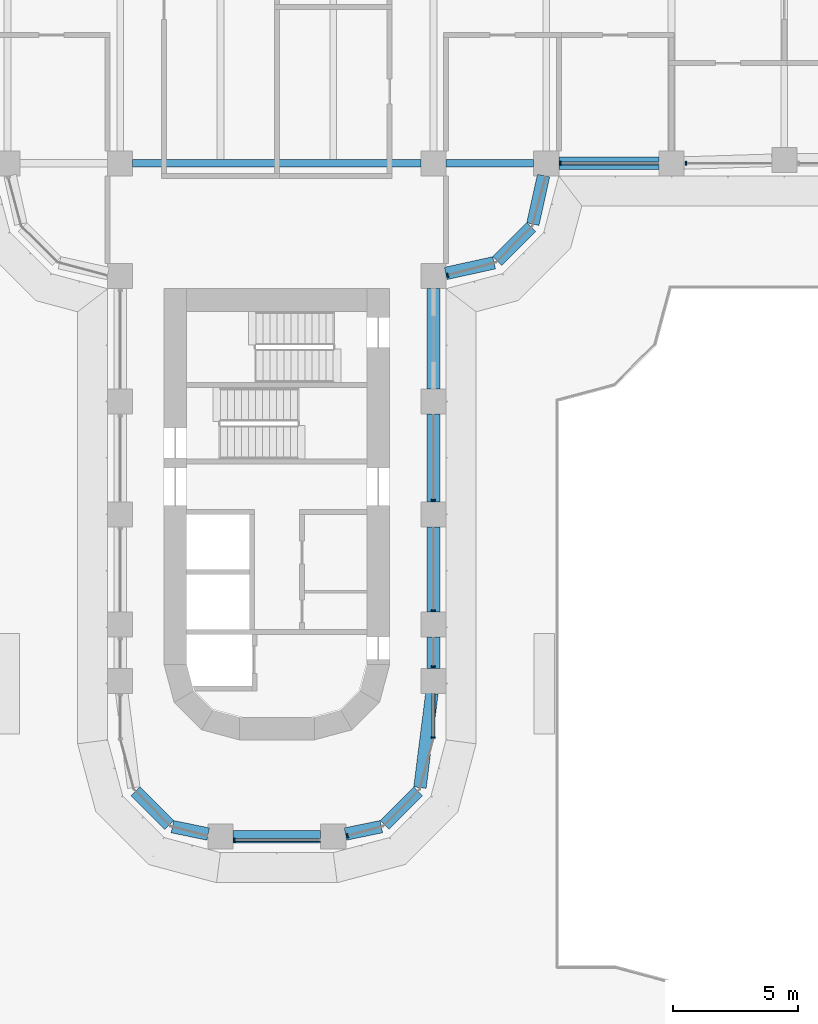
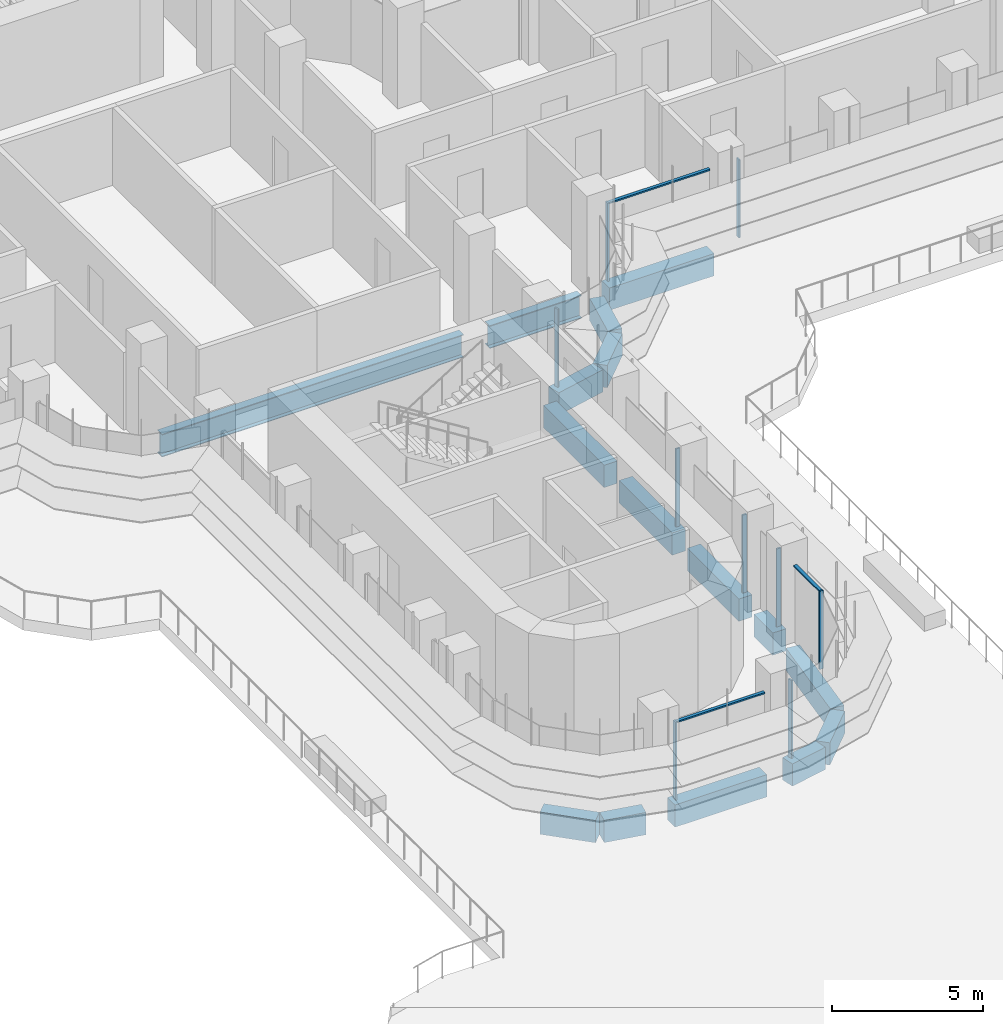
# One storey, part 4 of 26: 16 beams, 12 members, 5 elements without a shape of their own.
"""IFC4 building model written with IfcOpenShell, lengths in metres."""

from ifc_helpers import new_model, si_unit, direction, frame, origin, origin_2d, place, context, subcontext, project, spatial, polyline, rectangle, i_section, outline, extrude, source, transform, mapped, material, material_profile, profile_set, type_object, element, aggregate, save


model = new_model("IFC4")

# Units and contexts
model_context = context("Model", 3, precision=1e-05, world=origin(), true_north=direction((0.0, 1.0)))
body_context = subcontext(model_context, "Body", "Model", "MODEL_VIEW")
ifc_project = project(units=[si_unit("LENGTHUNIT", "METRE"), si_unit("AREAUNIT", "SQUARE_METRE"), si_unit("VOLUMEUNIT", "CUBIC_METRE"), si_unit("PLANEANGLEUNIT", "RADIAN"), si_unit("MASSUNIT", "GRAM", prefix="KILO")], contexts=[model_context])

# Site, building, storey
site_placement = place(None, origin())
site = spatial("IfcSite", under=ifc_project, at=site_placement, CompositionType="ELEMENT")
building_placement = place(site_placement, origin())
building = spatial("IfcBuilding", under=site, at=building_placement, Name="Zarbagh Exchange Tower", CompositionType="ELEMENT")
storey_placement = place(building_placement, frame((0.0, 0.0, 27.0)))
storey = spatial("IfcBuildingStorey", under=building, at=storey_placement, Name="L05", CompositionType="ELEMENT", Elevation=27.0)

# Beams
ifc_material_1 = material(Name="Steel ASTM A992 Gr 50", Category="steel")
ifc_material_profile_1 = material_profile(ifc_material_1, i_section(OverallWidth=0.3046875, OverallDepth=0.91943359375, WebThickness=0.017333984375, FlangeThickness=0.02783203125, at=origin_2d()), Name="W36X170")
ifc_profile_set_1 = profile_set([ifc_material_profile_1], Name="Steel ASTM A992 Gr 50")
beam_type_1 = type_object("IfcBeamType", Name="Floor girder W36X170", PredefinedType="BEAM", material=ifc_profile_set_1)
beam_1_placement = place(storey_placement, frame((-5.75, -6.25, -0.609619140625), z_axis=(1.0, 0.0, 0.0), x_axis=(0.0, 1.0, 0.0)))
element("IfcBeam", 1, at=beam_1_placement, inside=storey, type_object=beam_type_1, Name="Steel girder", PredefinedType="BEAM", context=body_context, shape_type="SweptSolid", body=[
    extrude(i_section(OverallWidth=0.3046875, OverallDepth=0.91943359375, WebThickness=0.017333984375, FlangeThickness=0.02783203125, at=origin_2d()), origin(), (0.0, 0.0, 1.0), 11.5),
])
beam_2_placement = place(storey_placement, frame((6.75, -6.25, -0.609619140625), z_axis=(1.0, 0.0, 0.0), x_axis=(0.0, 1.0, 0.0)))
element("IfcBeam", 2, at=beam_2_placement, inside=storey, type_object=beam_type_1, Name="Steel girder", PredefinedType="BEAM", context=body_context, shape_type="SweptSolid", body=[
    extrude(i_section(OverallWidth=0.3046875, OverallDepth=0.91943359375, WebThickness=0.017333984375, FlangeThickness=0.02783203125, at=origin_2d()), origin(), (0.0, 0.0, 1.0), 3.5),
])
ifc_material_2 = material(Name="Concrete C60/75", Category="concrete")
ifc_material_profile_2 = material_profile(ifc_material_2, rectangle(XDim=0.5, YDim=0.89990234375, at=origin_2d()), Name="RC spandrel beam 500 x 900 C60/75")
ifc_profile_set_2 = profile_set([ifc_material_profile_2], Name="Concrete C60/75")
beam_type_2 = type_object("IfcBeamType", Name="RC spandrel beam 500 x 900 C60/75", PredefinedType="SPANDREL", material=ifc_profile_set_2)
beam_3_placement = place(storey_placement, frame((-2.73974609375, -33.0087890625, -0.60009765625), z_axis=(-0.9793713725, 0.202068589164, 0.0), x_axis=(-0.202068589164, -0.9793713725, 0.0)))
element("IfcBeam", 3, at=beam_3_placement, inside=storey, type_object=beam_type_2, Name="RC spandrel beam", PredefinedType="SPANDREL", context=body_context, shape_type="SweptSolid", body=[
    extrude(rectangle(XDim=0.5, YDim=0.89990234375, at=origin_2d()), origin(), (0.0, 0.0, 1.0), 1.458251953125),
])
beam_4_placement = place(storey_placement, frame((-4.294189453125, -32.64599609375, -0.60009765625), z_axis=(-0.707042571718, 0.707170984825, 0.0), x_axis=(-0.707170984825, -0.707042571718, 0.0)))
element("IfcBeam", 4, at=beam_4_placement, inside=storey, type_object=beam_type_2, Name="RC spandrel beam", PredefinedType="SPANDREL", context=body_context, shape_type="SweptSolid", body=[
    extrude(rectangle(XDim=0.5, YDim=0.89990234375, at=origin_2d()), origin(), (0.0, 0.0, 1.0), 1.901123046875),
])
beam_5_placement = place(storey_placement, frame((15.25, -6.25, -0.60009765625), z_axis=(-1.0, 0.0, 0.0), x_axis=(0.0, -1.0, 0.0)))
element("IfcBeam", 5, at=beam_5_placement, inside=storey, type_object=beam_type_2, Name="RC spandrel beam", PredefinedType="SPANDREL", context=body_context, shape_type="SweptSolid", body=[
    extrude(rectangle(XDim=0.5, YDim=0.89990234375, at=origin_2d()), origin(), (0.0, 0.0, 1.0), 4.0),
])
beam_6_placement = place(storey_placement, frame((10.64208984375, -6.73828125, -0.60009765625), z_axis=(-0.216081063242, -0.976375426825, 0.0), x_axis=(0.976375426825, -0.216081063242, 0.0)))
element("IfcBeam", 6, at=beam_6_placement, inside=storey, type_object=beam_type_2, Name="RC spandrel beam", PredefinedType="SPANDREL", context=body_context, shape_type="SweptSolid", body=[
    extrude(rectangle(XDim=0.5, YDim=0.89990234375, at=origin_2d()), origin(), (0.0, 0.0, 1.0), 1.978271484375),
])
beam_7_placement = place(storey_placement, frame((10.147216796875, -8.792724609375, -0.60009765625), z_axis=(-0.707106781187, -0.707106781187, 0.0), x_axis=(0.707106781187, -0.707106781187, 0.0)))
element("IfcBeam", 7, at=beam_7_placement, inside=storey, type_object=beam_type_2, Name="RC spandrel beam", PredefinedType="SPANDREL", context=body_context, shape_type="SweptSolid", body=[
    extrude(rectangle(XDim=0.5, YDim=0.89990234375, at=origin_2d()), origin(), (0.0, 0.0, 1.0), 1.91552734375),
])
beam_8_placement = place(storey_placement, frame((8.669921875, -10.214599609375, -0.60009765625), z_axis=(-0.976375426825, -0.216081063242, 0.0), x_axis=(0.216081063242, -0.976375426825, 0.0)))
element("IfcBeam", 8, at=beam_8_placement, inside=storey, type_object=beam_type_2, Name="RC spandrel beam", PredefinedType="SPANDREL", context=body_context, shape_type="SweptSolid", body=[
    extrude(rectangle(XDim=0.5, YDim=0.89990234375, at=origin_2d()), origin(), (0.0, 0.0, 1.0), 1.978271484375),
])
beam_9_placement = place(storey_placement, frame((6.25, -11.25, -0.60009765625), z_axis=(0.0, -1.0, 0.0), x_axis=(1.0, 0.0, 0.0)))
element("IfcBeam", 9, at=beam_9_placement, inside=storey, type_object=beam_type_2, Name="RC spandrel beam", PredefinedType="SPANDREL", context=body_context, shape_type="SweptSolid", body=[
    extrude(rectangle(XDim=0.5, YDim=0.89990234375, at=origin_2d()), origin(), (0.0, 0.0, 1.0), 4.0),
])
beam_10_placement = place(storey_placement, frame((6.25, -16.25, -0.60009765625), z_axis=(0.0, -1.0, 0.0), x_axis=(1.0, 0.0, 0.0)))
element("IfcBeam", 10, at=beam_10_placement, inside=storey, type_object=beam_type_2, Name="RC spandrel beam", PredefinedType="SPANDREL", context=body_context, shape_type="SweptSolid", body=[
    extrude(rectangle(XDim=0.5, YDim=0.89990234375, at=origin_2d()), origin(), (0.0, 0.0, 1.0), 3.5),
])
beam_11_placement = place(storey_placement, frame((6.25, -20.75, -0.60009765625), z_axis=(0.0, -1.0, 0.0), x_axis=(1.0, 0.0, 0.0)))
element("IfcBeam", 11, at=beam_11_placement, inside=storey, type_object=beam_type_2, Name="RC spandrel beam", PredefinedType="SPANDREL", context=body_context, shape_type="SweptSolid", body=[
    extrude(rectangle(XDim=0.5, YDim=0.89990234375, at=origin_2d()), origin(), (0.0, 0.0, 1.0), 3.39990234375),
])
beam_12_placement = place(storey_placement, frame((6.25, -25.14990234375, -0.60009765625), z_axis=(0.0, -1.0, 0.0), x_axis=(1.0, 0.0, 0.0)))
element("IfcBeam", 12, at=beam_12_placement, inside=storey, type_object=beam_type_2, Name="RC spandrel beam", PredefinedType="SPANDREL", context=body_context, shape_type="SweptSolid", body=[
    extrude(rectangle(XDim=0.5, YDim=0.89990234375, at=origin_2d()), origin(), (0.0, 0.0, 1.0), 1.25),
])
beam_13_placement = place(storey_placement, frame((6.18701171875, -27.39599609375, -0.60009765625), z_axis=(-0.12591317752, -0.992041265133, 0.0), x_axis=(0.992041265133, -0.12591317752, 0.0)))
element("IfcBeam", 13, at=beam_13_placement, inside=storey, type_object=beam_type_2, Name="RC spandrel beam", PredefinedType="SPANDREL", context=body_context, shape_type="SweptSolid", body=[
    extrude(rectangle(XDim=0.5, YDim=0.89990234375, at=origin_2d()), origin(), (0.0, 0.0, 1.0), 3.790771484375),
])
beam_14_placement = place(storey_placement, frame((5.638427734375, -31.301513671875, -0.60009765625), z_axis=(-0.707042571718, -0.707170984825, 0.0), x_axis=(0.707170984825, -0.707042571718, 0.0)))
element("IfcBeam", 14, at=beam_14_placement, inside=storey, type_object=beam_type_2, Name="RC spandrel beam", PredefinedType="SPANDREL", context=body_context, shape_type="SweptSolid", body=[
    extrude(rectangle(XDim=0.5, YDim=0.89990234375, at=origin_2d()), origin(), (0.0, 0.0, 1.0), 1.901123046875),
])
beam_15_placement = place(storey_placement, frame((4.16796875, -32.714111328125, -0.60009765625), z_axis=(-0.9793713725, -0.202068589164, 0.0), x_axis=(0.202068589164, -0.9793713725, 0.0)))
element("IfcBeam", 15, at=beam_15_placement, inside=storey, type_object=beam_type_2, Name="RC spandrel beam", PredefinedType="SPANDREL", context=body_context, shape_type="SweptSolid", body=[
    extrude(rectangle(XDim=0.5, YDim=0.89990234375, at=origin_2d()), origin(), (0.0, 0.0, 1.0), 1.458251953125),
])
beam_16_placement = place(storey_placement, frame((1.75, -33.110107421875, -0.60009765625), z_axis=(-1.0, 0.0, 0.0), x_axis=(0.0, -1.0, 0.0)))
element("IfcBeam", 16, at=beam_16_placement, inside=storey, type_object=beam_type_2, Name="RC spandrel beam", PredefinedType="SPANDREL", context=body_context, shape_type="SweptSolid", body=[
    extrude(rectangle(XDim=0.5, YDim=0.89990234375, at=origin_2d()), origin(), (0.0, 0.0, 1.0), 3.5),
])

# Curtain wall, member
ifc_material_3 = material(Name="Anodised aluminium frame and glazing", Category="aluminium")
curtain_wall_type = type_object("IfcCurtainWallType", Name="CWA Ribbon glazing, lower zones", PredefinedType="NOTDEFINED", material=ifc_material_3)
curtain_wall_1_placement = place(storey_placement, origin())
curtain_wall_1 = element("IfcCurtainWall", 17, at=curtain_wall_1_placement, inside=storey, type_object=curtain_wall_type, Name="CWA01 curtain wall", PredefinedType="NOTDEFINED")
ifc_material_4 = material(Name="Anodised aluminium frame", Category="aluminium")
member_type_1 = type_object("IfcMemberType", Name="MUA Mullion, anodised aluminium frame", PredefinedType="MULLION", material=ifc_material_4)
shared_shape_1 = source(origin(), body_context, "Body", "SweptSolid", [
    extrude(outline(polyline([(0.0, -0.080078125), (0.06005859375, -0.080078125), (0.06005859375, 0.080078125), (0.0, 0.080078125), (0.0, -0.080078125)])), origin(), (0.0, 0.0, 1.0), 3.14990234375),
])
placement = place(storey_placement, origin())
member_1 = element("IfcMember", 18, at=placement, type_object=member_type_1, Name="CWA01 mullion 1.1", PredefinedType="MULLION", context=body_context, shape_type="MappedRepresentation", body=[
    mapped(shared_shape_1, transform((2.7900390625, -33.087646484375, 0.0), x_axis=(0.965924289636, 0.258824779902, 0.0), y_axis=(-0.258824779902, 0.965924289636, 0.0), z_axis=(0.0, 0.0, 1.0))),
])
aggregate(curtain_wall_1, [member_1])

# Curtain wall, members
curtain_wall_2_placement = place(storey_placement, origin())
curtain_wall_2 = element("IfcCurtainWall", 19, at=curtain_wall_2_placement, inside=storey, type_object=curtain_wall_type, Name="CWA04 curtain wall", PredefinedType="NOTDEFINED")
member_2 = element("IfcMember", 20, at=placement, type_object=member_type_1, Name="CWA04 mullion 1.1", PredefinedType="MULLION", context=body_context, shape_type="MappedRepresentation", body=[
    mapped(shared_shape_1, transform((6.25, -29.18408203125, 0.0), x_axis=(0.0, 1.0, 0.0), y_axis=(-1.0, 0.0, 0.0), z_axis=(0.0, 0.0, 1.0))),
])
member_3 = element("IfcMember", 21, at=placement, type_object=member_type_1, Name="CWA04 mullion 2.1", PredefinedType="MULLION", context=body_context, shape_type="MappedRepresentation", body=[
    mapped(shared_shape_1, transform((6.25, -26.35986328125, 0.0), x_axis=(0.0, 1.0, 0.0), y_axis=(-1.0, 0.0, 0.0), z_axis=(0.0, 0.0, 1.0))),
])
member_4 = element("IfcMember", 22, at=placement, type_object=member_type_1, Name="CWA04 mullion 3.1", PredefinedType="MULLION", context=body_context, shape_type="MappedRepresentation", body=[
    mapped(shared_shape_1, transform((6.25, -24.10986328125, 0.0), x_axis=(0.0, 1.0, 0.0), y_axis=(-1.0, 0.0, 0.0), z_axis=(0.0, 0.0, 1.0))),
])
member_5 = element("IfcMember", 23, at=placement, type_object=member_type_1, Name="CWA04 mullion 4.1", PredefinedType="MULLION", context=body_context, shape_type="MappedRepresentation", body=[
    mapped(shared_shape_1, transform((6.25, -19.7099609375, 0.0), x_axis=(0.0, 1.0, 0.0), y_axis=(-1.0, 0.0, 0.0), z_axis=(0.0, 0.0, 1.0))),
])

# Curtain wall, member
curtain_wall_3_placement = place(storey_placement, origin())
curtain_wall_3 = element("IfcCurtainWall", 24, at=curtain_wall_3_placement, inside=storey, type_object=curtain_wall_type, Name="CWA05 curtain wall", PredefinedType="NOTDEFINED")
member_6 = element("IfcMember", 25, at=placement, type_object=member_type_1, Name="CWA05 mullion 1.1", PredefinedType="MULLION", context=body_context, shape_type="MappedRepresentation", body=[
    mapped(shared_shape_1, transform((6.7900390625, -10.7216796875, 0.0), x_axis=(0.965924289636, 0.258824779902, 0.0), y_axis=(-0.258824779902, 0.965924289636, 0.0), z_axis=(0.0, 0.0, 1.0))),
])
aggregate(curtain_wall_3, [member_6])

# Curtain wall, members
curtain_wall_4_placement = place(storey_placement, origin())
curtain_wall_4 = element("IfcCurtainWall", 26, at=curtain_wall_4_placement, inside=storey, type_object=curtain_wall_type, Name="CWA08 curtain wall", PredefinedType="NOTDEFINED")
member_7 = element("IfcMember", 27, at=placement, type_object=member_type_1, Name="CWA08 mullion 1.1", PredefinedType="MULLION", context=body_context, shape_type="MappedRepresentation", body=[
    mapped(shared_shape_1, transform((11.2900390625, -6.25, 0.0), x_axis=(1.0, 0.0, 0.0), y_axis=(0.0, 1.0, 0.0), z_axis=(0.0, 0.0, 1.0))),
])
member_8 = element("IfcMember", 28, at=placement, type_object=member_type_1, Name="CWA08 mullion 2.1", PredefinedType="MULLION", context=body_context, shape_type="MappedRepresentation", body=[
    mapped(shared_shape_1, transform((16.2900390625, -6.25, 0.0), x_axis=(1.0, 0.0, 0.0), y_axis=(0.0, 1.0, 0.0), z_axis=(0.0, 0.0, 1.0))),
])

# Curtain wall, member
curtain_wall_5_placement = place(storey_placement, origin())
curtain_wall_5 = element("IfcCurtainWall", 29, at=curtain_wall_5_placement, inside=storey, type_object=curtain_wall_type, Name="CWA48 curtain wall", PredefinedType="NOTDEFINED")
member_9 = element("IfcMember", 30, at=placement, type_object=member_type_1, Name="CWA48 mullion 1.1", PredefinedType="MULLION", context=body_context, shape_type="MappedRepresentation", body=[
    mapped(shared_shape_1, transform((-1.7099609375, -33.25, 0.0), x_axis=(1.0, 0.0, 0.0), y_axis=(0.0, 1.0, 0.0), z_axis=(0.0, 0.0, 1.0))),
])

# Member
member_type_2 = type_object("IfcMemberType", Name="TRA Transom, anodised aluminium frame", PredefinedType="USERDEFINED", material=ifc_material_4)
shared_shape_2 = source(origin(), body_context, "Body", "SweptSolid", [
    extrude(outline(polyline([(-0.06005859375, -0.06005859375), (0.0, -0.06005859375), (0.0, 0.06005859375), (-0.06005859375, 0.06005859375), (-0.06005859375, -0.06005859375)])), origin(), (0.0, 0.0, 1.0), 1.68408203125),
])
member_10 = element("IfcMember", 31, at=placement, type_object=member_type_2, Name="CWA04 transom 1.1", ObjectType="TRANSOM", PredefinedType="USERDEFINED", context=body_context, shape_type="MappedRepresentation", body=[
    mapped(shared_shape_2, transform((6.25, -29.124267578125, 3.14990234375), x_axis=(0.0, 0.0, 1.0), y_axis=(1.0, 0.0, 0.0), z_axis=(0.0, 1.0, 0.0))),
])

aggregate(curtain_wall_2, [member_2, member_10, member_3, member_4, member_5])

shared_shape_3 = source(origin(), body_context, "Body", "SweptSolid", [
    extrude(outline(polyline([(-0.06005859375, -0.06005859375), (0.0, -0.06005859375), (0.0, 0.06005859375), (-0.06005859375, 0.06005859375), (-0.06005859375, -0.06005859375)])), origin(), (0.0, 0.0, 1.0), 3.860107421875),
])
member_11 = element("IfcMember", 32, at=placement, type_object=member_type_2, Name="CWA08 transom 1.1", ObjectType="TRANSOM", PredefinedType="USERDEFINED", context=body_context, shape_type="MappedRepresentation", body=[
    mapped(shared_shape_3, transform((11.35009765625, -6.25, 3.14990234375), x_axis=(0.0, 0.0, 1.0), y_axis=(0.0, -1.0, 0.0), z_axis=(1.0, 0.0, 0.0))),
])

aggregate(curtain_wall_4, [member_7, member_11, member_8])

shared_shape_4 = source(origin(), body_context, "Body", "SweptSolid", [
    extrude(outline(polyline([(-0.06005859375, -0.06005859375), (0.0, -0.06005859375), (0.0, 0.06005859375), (-0.06005859375, 0.06005859375), (-0.06005859375, -0.06005859375)])), origin(), (0.0, 0.0, 1.0), 3.360107421875),
])
member_12 = element("IfcMember", 33, at=placement, type_object=member_type_2, Name="CWA48 transom 1.1", ObjectType="TRANSOM", PredefinedType="USERDEFINED", context=body_context, shape_type="MappedRepresentation", body=[
    mapped(shared_shape_4, transform((-1.64990234375, -33.25, 3.14990234375), x_axis=(0.0, 0.0, 1.0), y_axis=(0.0, -1.0, 0.0), z_axis=(1.0, 0.0, 0.0))),
])

aggregate(curtain_wall_5, [member_9, member_12])

save(model, "model.ifc")
